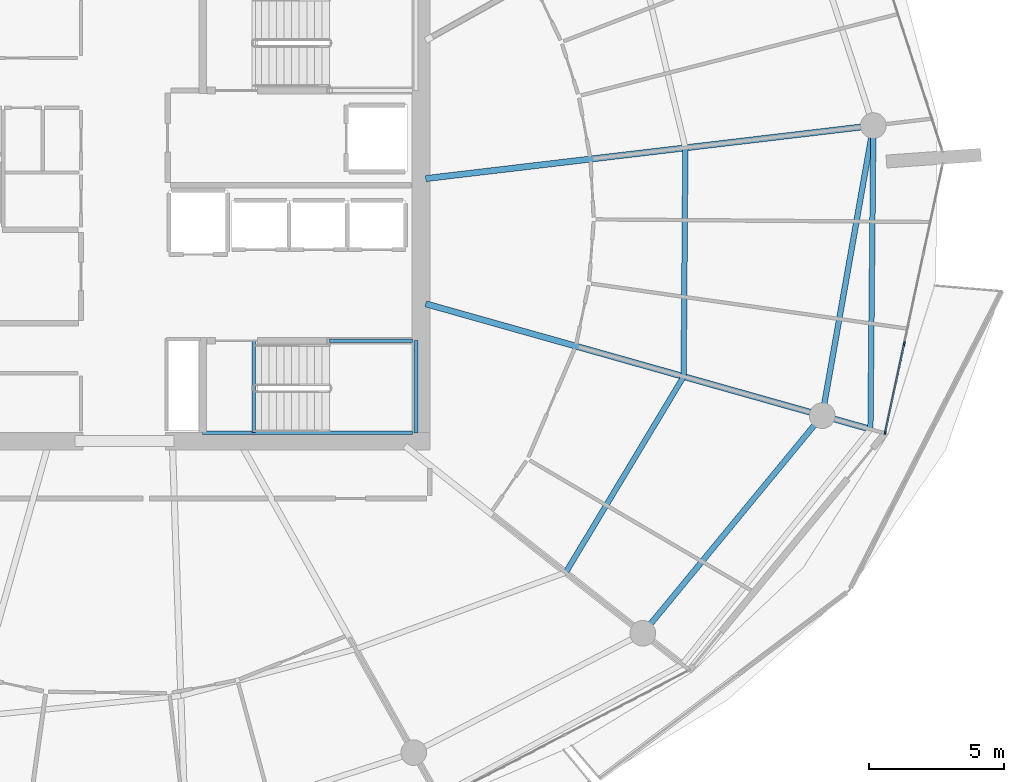
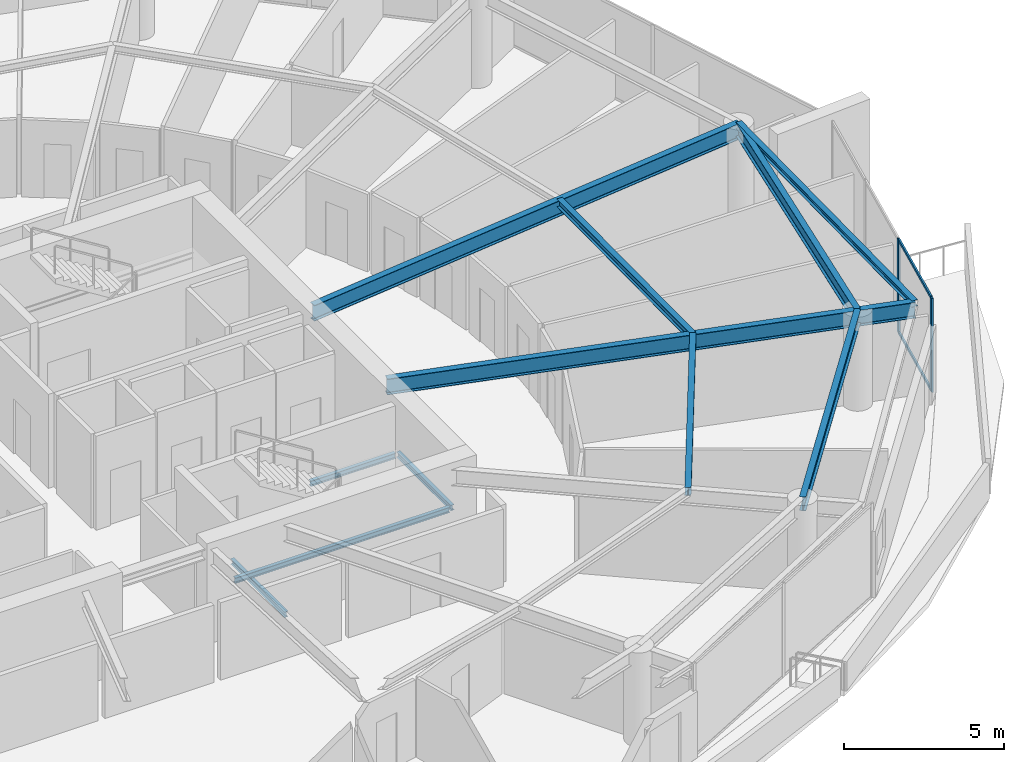
# One storey, part 11 of 31: 11 beams, 4 members, 1 element without a shape of its own.
"""IFC4 building model written with IfcOpenShell, lengths in metres."""

from ifc_helpers import new_model, si_unit, direction, frame, origin, origin_2d, place, context, subcontext, project, spatial, rectangle, i_section, extrude, material, layer, layer_set, material_profile, profile_set, type_object, element, aggregate, save


model = new_model("IFC4")

# Units and contexts
model_context = context("Model", 3, precision=1e-05, world=origin(), true_north=direction((0.0, 1.0)))
body_context = subcontext(model_context, "Body", "Model", "MODEL_VIEW")
ifc_project = project(units=[si_unit("LENGTHUNIT", "METRE"), si_unit("AREAUNIT", "SQUARE_METRE"), si_unit("VOLUMEUNIT", "CUBIC_METRE"), si_unit("PLANEANGLEUNIT", "RADIAN"), si_unit("MASSUNIT", "GRAM", prefix="KILO")], contexts=[model_context])

# Site, building, storey
site_placement = place(None, origin())
site = spatial("IfcSite", under=ifc_project, at=site_placement, CompositionType="ELEMENT")
building_placement = place(site_placement, origin())
building = spatial("IfcBuilding", under=site, at=building_placement, Name="Kazma Halo Residences", CompositionType="ELEMENT")
storey_placement = place(building_placement, frame((0.0, 0.0, 240.550048828125)))
storey = spatial("IfcBuildingStorey", under=building, at=storey_placement, Name="L60", CompositionType="ELEMENT", Elevation=240.550048828125)

# Beams
ifc_material_1 = material(Name="Steel S355", Category="steel")
ifc_material_profile_1 = material_profile(ifc_material_1, i_section(OverallWidth=0.201904296875, OverallDepth=0.2470703125, WebThickness=0.00732421875, FlangeThickness=0.010986328125, FilletRadius=0.011962890625, at=origin_2d()), Name="W250x49.1")
ifc_profile_set_1 = profile_set([ifc_material_profile_1], Name="Steel S355")
beam_type_1 = type_object("IfcBeamType", Name="BM-BAL-CANT", PredefinedType="BEAM", material=ifc_profile_set_1)
beam_1_placement = place(storey_placement, frame((75.971435546875, 34.111083984375, 3.466552734375), z_axis=(0.009645503464, 0.999953481049, 0.0), x_axis=(-0.999953481049, 0.009645503464, 0.0)))
element("IfcBeam", 1, at=beam_1_placement, inside=storey, type_object=beam_type_1, Name="L60 wave-balcony tie beam 15", PredefinedType="BEAM", context=body_context, shape_type="SweptSolid", body=[
    extrude(i_section(OverallWidth=0.201904296875, OverallDepth=0.2470703125, WebThickness=0.00732421875, FlangeThickness=0.010986328125, FilletRadius=0.011962890625, at=origin_2d()), origin(), (0.0, 0.0, 1.0), 11.212890625),
])
ifc_material_profile_2 = material_profile(ifc_material_1, i_section(OverallWidth=0.22802734375, OverallDepth=0.60791015625, WebThickness=0.01123046875, FlangeThickness=0.017333984375, FilletRadius=0.01806640625, at=origin_2d()), Name="W610x113")
ifc_profile_set_2 = profile_set([ifc_material_profile_2], Name="Steel S355")
beam_type_2 = type_object("IfcBeamType", Name="BM-RAD-W610", PredefinedType="BEAM", material=ifc_profile_set_2)
beam_2_placement = place(storey_placement, frame((59.550048828125, 38.74267578125, 3.285888671875), z_axis=(0.96245092213, -0.271455746837, 0.0), x_axis=(0.271455746837, 0.96245092213, 0.0)))
element("IfcBeam", 2, at=beam_2_placement, inside=storey, type_object=beam_type_2, Name="L60 radial floor beam 15", PredefinedType="BEAM", context=body_context, shape_type="SweptSolid", body=[
    extrude(i_section(OverallWidth=0.22802734375, OverallDepth=0.60791015625, WebThickness=0.01123046875, FlangeThickness=0.017333984375, FilletRadius=0.01806640625, at=origin_2d()), origin(), (0.0, 0.0, 1.0), 17.06201171875),
])
beam_3_placement = place(storey_placement, frame((59.550048828125, 43.366943359375, 3.285888671875), z_axis=(0.993067455077, 0.117545861975, 0.0), x_axis=(-0.117545861975, 0.993067455077, 0.0)))
element("IfcBeam", 3, at=beam_3_placement, inside=storey, type_object=beam_type_2, Name="L60 radial floor beam 16", PredefinedType="BEAM", context=body_context, shape_type="SweptSolid", body=[
    extrude(i_section(OverallWidth=0.22802734375, OverallDepth=0.60791015625, WebThickness=0.01123046875, FlangeThickness=0.017333984375, FilletRadius=0.01806640625, at=origin_2d()), origin(), (0.0, 0.0, 1.0), 16.64501953125),
])
ifc_material_profile_3 = material_profile(ifc_material_1, i_section(OverallWidth=0.202880859375, OverallDepth=0.302978515625, WebThickness=0.007568359375, FlangeThickness=0.01318359375, FilletRadius=0.013916015625, at=origin_2d()), Name="W310x60")
ifc_profile_set_3 = profile_set([ifc_material_profile_3], Name="Steel S355")
beam_type_3 = type_object("IfcBeamType", Name="BM-SEC-W310A", PredefinedType="JOIST", material=ifc_profile_set_3)
beam_4_placement = place(storey_placement, frame((64.719482421875, 28.8193359375, 3.4384765625), z_axis=(0.515604761061, 0.856826546257, 0.0), x_axis=(-0.856826546257, 0.515604761061, 0.0)))
element("IfcBeam", 4, at=beam_4_placement, inside=storey, type_object=beam_type_3, Name="L60 circumferential floor joist 14", PredefinedType="JOIST", context=body_context, shape_type="SweptSolid", body=[
    extrude(i_section(OverallWidth=0.202880859375, OverallDepth=0.302978515625, WebThickness=0.007568359375, FlangeThickness=0.01318359375, FilletRadius=0.013916015625, at=origin_2d()), origin(), (0.0, 0.0, 1.0), 8.4462890625),
])
beam_5_placement = place(storey_placement, frame((69.074462890625, 36.056396484375, 3.4384765625), z_axis=(0.007429258426, 0.999972402679, 0.0), x_axis=(-0.999972402679, 0.007429258426, 0.0)))
element("IfcBeam", 5, at=beam_5_placement, inside=storey, type_object=beam_type_3, Name="L60 circumferential floor joist 15", PredefinedType="JOIST", context=body_context, shape_type="SweptSolid", body=[
    extrude(i_section(OverallWidth=0.202880859375, OverallDepth=0.302978515625, WebThickness=0.007568359375, FlangeThickness=0.01318359375, FilletRadius=0.013916015625, at=origin_2d()), origin(), (0.0, 0.0, 1.0), 8.445556640625),
])
ifc_material_profile_4 = material_profile(ifc_material_1, i_section(OverallWidth=0.208984375, OverallDepth=0.532958984375, WebThickness=0.01025390625, FlangeThickness=0.015625, FilletRadius=0.01611328125, at=origin_2d()), Name="W530x92")
ifc_profile_set_4 = profile_set([ifc_material_profile_4], Name="Steel S355")
beam_type_4 = type_object("IfcBeamType", Name="BM-SPN-W530", PredefinedType="BEAM", material=ifc_profile_set_4)
beam_6_placement = place(storey_placement, frame((67.566162109375, 26.5751953125, 3.323486328125), z_axis=(0.636002144225, 0.771687289348, 0.0), x_axis=(-0.771687289348, 0.636002144225, 0.0)))
element("IfcBeam", 6, at=beam_6_placement, inside=storey, type_object=beam_type_4, Name="L60 perimeter ring beam 14", PredefinedType="BEAM", context=body_context, shape_type="SweptSolid", body=[
    extrude(i_section(OverallWidth=0.208984375, OverallDepth=0.532958984375, WebThickness=0.01025390625, FlangeThickness=0.015625, FilletRadius=0.01611328125, at=origin_2d()), origin(), (0.0, 0.0, 1.0), 10.416259765625),
])
beam_7_placement = place(storey_placement, frame((74.19091796875, 34.61328125, 3.323486328125), z_axis=(0.173663672311, 0.984805020763, 0.0), x_axis=(-0.984805020763, 0.173663672311, 0.0)))
element("IfcBeam", 7, at=beam_7_placement, inside=storey, type_object=beam_type_4, Name="L60 perimeter ring beam 15", PredefinedType="BEAM", context=body_context, shape_type="SweptSolid", body=[
    extrude(i_section(OverallWidth=0.208984375, OverallDepth=0.532958984375, WebThickness=0.01025390625, FlangeThickness=0.015625, FilletRadius=0.01611328125, at=origin_2d()), origin(), (0.0, 0.0, 1.0), 10.87548828125),
])
ifc_material_profile_5 = material_profile(ifc_material_1, i_section(OverallWidth=0.133056640625, OverallDepth=0.20703125, WebThickness=0.005859375, FlangeThickness=0.00830078125, FilletRadius=0.010009765625, at=origin_2d()), Name="W200x26.6")
ifc_profile_set_5 = profile_set([ifc_material_profile_5], Name="Steel S355")
beam_type_5 = type_object("IfcBeamType", Name="BM-TRIM-W200", PredefinedType="BEAM", material=ifc_profile_set_5)
beam_8_placement = place(storey_placement, frame((53.199951171875, 34.0, -0.3701171875), z_axis=(0.0, 1.0, 0.0), x_axis=(-1.0, 0.0, 0.0)))
element("IfcBeam", 8, at=beam_8_placement, inside=storey, type_object=beam_type_5, Name="L60 ST-03 floor landing support beam", PredefinedType="BEAM", context=body_context, shape_type="SweptSolid", body=[
    extrude(i_section(OverallWidth=0.133056640625, OverallDepth=0.20703125, WebThickness=0.005859375, FlangeThickness=0.00830078125, FilletRadius=0.010009765625, at=origin_2d()), origin(), (0.0, 0.0, 1.0), 3.3798828125),
])
beam_9_placement = place(storey_placement, frame((51.31005859375, 33.97998046875, 1.619873046875), z_axis=(1.0, 0.0, 0.0), x_axis=(0.0, 1.0, 0.0)))
element("IfcBeam", 9, at=beam_9_placement, inside=storey, type_object=beam_type_5, Name="L60 ST-03 landing south wall ledger", PredefinedType="BEAM", context=body_context, shape_type="SweptSolid", body=[
    extrude(i_section(OverallWidth=0.133056640625, OverallDepth=0.20703125, WebThickness=0.005859375, FlangeThickness=0.00830078125, FilletRadius=0.010009765625, at=origin_2d()), origin(), (0.0, 0.0, 1.0), 7.760009765625),
])
beam_10_placement = place(storey_placement, frame((56.0, 37.3798828125, 1.619873046875), z_axis=(1.0, 0.0, 0.0), x_axis=(0.0, 1.0, 0.0)))
element("IfcBeam", 10, at=beam_10_placement, inside=storey, type_object=beam_type_5, Name="L60 ST-03 landing north wall ledger", PredefinedType="BEAM", context=body_context, shape_type="SweptSolid", body=[
    extrude(i_section(OverallWidth=0.133056640625, OverallDepth=0.20703125, WebThickness=0.005859375, FlangeThickness=0.00830078125, FilletRadius=0.010009765625, at=origin_2d()), origin(), (0.0, 0.0, 1.0), 3.070068359375),
])
beam_11_placement = place(storey_placement, frame((59.18994140625, 33.97998046875, 1.619873046875), z_axis=(0.0, 1.0, 0.0), x_axis=(-1.0, 0.0, 0.0)))
element("IfcBeam", 11, at=beam_11_placement, inside=storey, type_object=beam_type_5, Name="L60 ST-03 landing end wall ledger", PredefinedType="BEAM", context=body_context, shape_type="SweptSolid", body=[
    extrude(i_section(OverallWidth=0.133056640625, OverallDepth=0.20703125, WebThickness=0.005859375, FlangeThickness=0.00830078125, FilletRadius=0.010009765625, at=origin_2d()), origin(), (0.0, 0.0, 1.0), 3.39990234375),
])

# Curtain wall, members
ifc_material_2 = material(Name="Aluminium AW-6063 T6 and Triple-Silver Low-E Glass", Category="aluminium")
ifc_layer = layer(ifc_material_2, 0.139892578125)
ifc_layer_set = layer_set([ifc_layer], Name="Aluminium AW-6063 T6 and Triple-Silver Low-E Glass")
curtain_wall_type = type_object("IfcCurtainWallType", Name="CW-SYS-5", PredefinedType="NOTDEFINED", material=ifc_layer_set)
curtain_wall_placement = place(storey_placement, origin())
curtain_wall = element("IfcCurtainWall", 12, at=curtain_wall_placement, inside=storey, type_object=curtain_wall_type, Name="L60 unitised curtain wall B15", PredefinedType="NOTDEFINED")
ifc_material_3 = material(Name="Aluminium AW-6063 T6", Category="aluminium")
ifc_material_profile_6 = material_profile(ifc_material_3, rectangle(XDim=0.06005859375, YDim=0.139892578125, at=origin_2d()), Name="CWM-60x140")
ifc_profile_set_6 = profile_set([ifc_material_profile_6], Name="Aluminium AW-6063 T6")
member_type_1 = type_object("IfcMemberType", Name="CW-SYS-5-MUL", PredefinedType="MULLION", material=ifc_profile_set_6)
member_1_placement = place(storey_placement, frame((76.514892578125, 33.989013671875, 0.0), z_axis=(0.0, 0.0, 1.0), x_axis=(-0.97777491373, 0.209657382603, 0.0)))
member_1 = element("IfcMember", 13, at=member_1_placement, type_object=member_type_1, Name="CWS-5 mullion 1", PredefinedType="MULLION", context=body_context, shape_type="SweptSolid", body=[
    extrude(rectangle(XDim=0.06005859375, YDim=0.139892578125, at=origin_2d()), origin(), (0.0, 0.0, 1.0), 3.58984375),
])
member_2_placement = place(storey_placement, frame((77.218994140625, 37.2734375, 0.0), z_axis=(0.0, 0.0, 1.0), x_axis=(-0.97777491373, 0.209657382603, 0.0)))
member_2 = element("IfcMember", 14, at=member_2_placement, type_object=member_type_1, Name="CWS-5 mullion 2", PredefinedType="MULLION", context=body_context, shape_type="SweptSolid", body=[
    extrude(rectangle(XDim=0.06005859375, YDim=0.139892578125, at=origin_2d()), origin(), (0.0, 0.0, 1.0), 3.58984375),
])
ifc_material_profile_7 = material_profile(ifc_material_3, rectangle(XDim=0.06005859375, YDim=0.10498046875, at=origin_2d()), Name="CWT-60x105")
ifc_profile_set_7 = profile_set([ifc_material_profile_7], Name="Aluminium AW-6063 T6")
member_type_2 = type_object("IfcMemberType", Name="CW-SYS-5-TRN", PredefinedType="USERDEFINED", material=ifc_profile_set_7)
member_3_placement = place(storey_placement, frame((76.52099609375, 34.0185546875, 0.030029296875), z_axis=(0.209660493552, 0.977774246666, 0.0), x_axis=(-0.977774246666, 0.209660493552, 0.0)))
member_3 = element("IfcMember", 15, at=member_3_placement, type_object=member_type_2, Name="CWS-5 transom 1.1", ObjectType="TRANSOM", PredefinedType="USERDEFINED", context=body_context, shape_type="SweptSolid", body=[
    extrude(rectangle(XDim=0.06005859375, YDim=0.10498046875, at=origin_2d()), origin(), (0.0, 0.0, 1.0), 3.298828125),
])
member_4_placement = place(storey_placement, frame((76.52099609375, 34.0185546875, 3.56005859375), z_axis=(0.209660493552, 0.977774246666, 0.0), x_axis=(-0.977774246666, 0.209660493552, 0.0)))
member_4 = element("IfcMember", 16, at=member_4_placement, type_object=member_type_2, Name="CWS-5 transom 1.2", ObjectType="TRANSOM", PredefinedType="USERDEFINED", context=body_context, shape_type="SweptSolid", body=[
    extrude(rectangle(XDim=0.06005859375, YDim=0.10498046875, at=origin_2d()), origin(), (0.0, 0.0, 1.0), 3.298828125),
])
aggregate(curtain_wall, [member_1, member_2, member_3, member_4])

save(model, "model.ifc")
